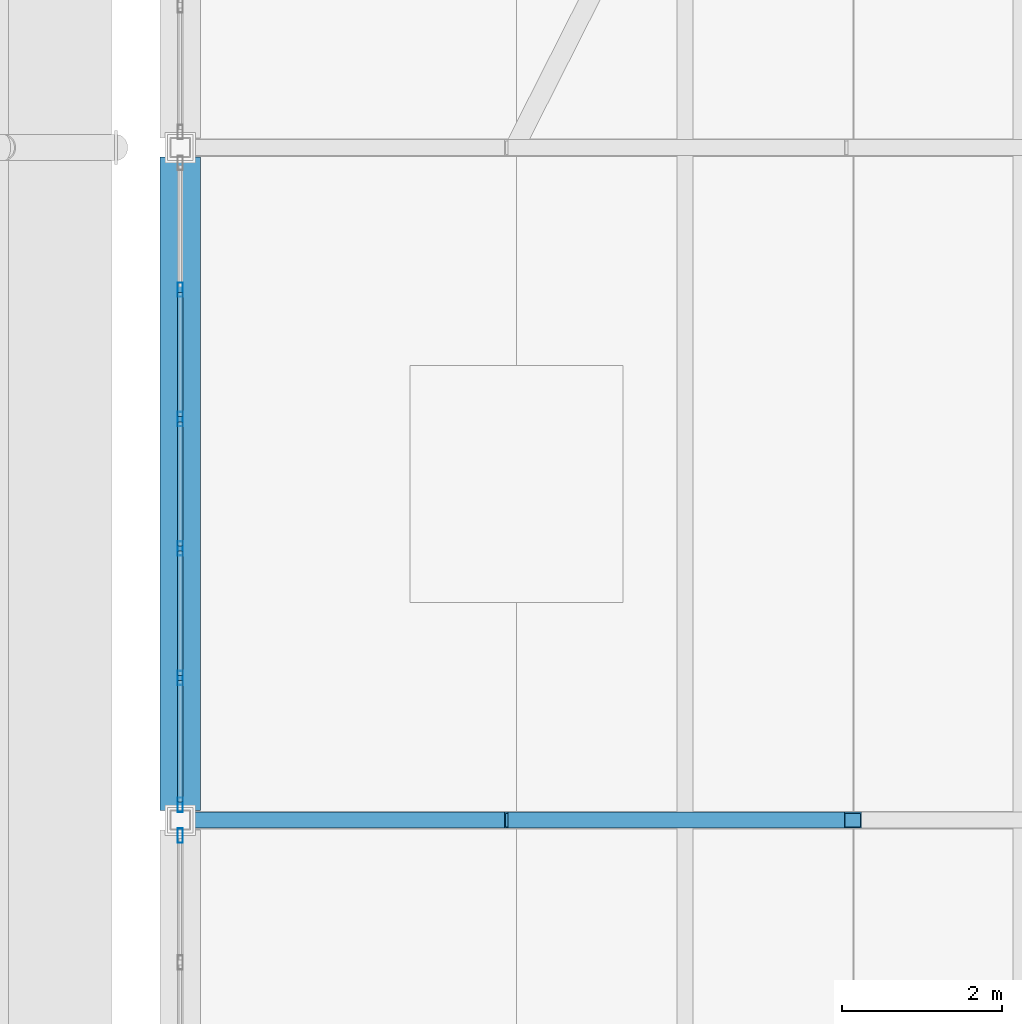
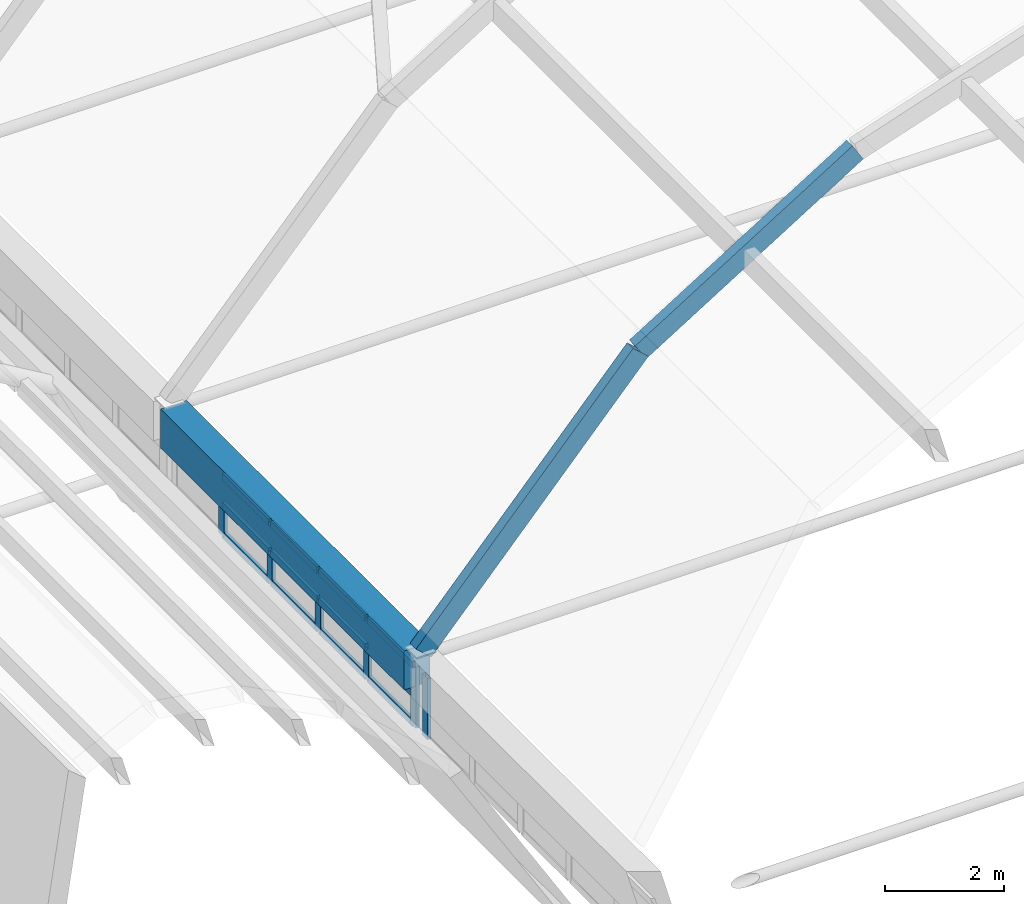
# One storey, part 17 of 114: 18 members, 3 beams, 2 elements without a shape of their own.
"""IFC4 building model written with IfcOpenShell, lengths in metres."""

from ifc_helpers import new_model, si_unit, direction, frame, origin, origin_2d, place, context, subcontext, project, spatial, rectangle, hollow_rectangle, extrude, material, layer, layer_set, material_profile, profile_set, type_object, element, aggregate, save


model = new_model("IFC4")

# Units and contexts
model_context = context("Model", 3, precision=1e-05, world=origin(), true_north=direction((0.0, 1.0)))
body_context = subcontext(model_context, "Body", "Model", "MODEL_VIEW")
ifc_project = project(units=[si_unit("LENGTHUNIT", "METRE"), si_unit("AREAUNIT", "SQUARE_METRE"), si_unit("VOLUMEUNIT", "CUBIC_METRE"), si_unit("PLANEANGLEUNIT", "RADIAN"), si_unit("MASSUNIT", "GRAM", prefix="KILO")], contexts=[model_context])

# Site, building, storey
site_placement = place(None, origin())
site = spatial("IfcSite", under=ifc_project, at=site_placement, CompositionType="ELEMENT")
building_placement = place(site_placement, origin())
building = spatial("IfcBuilding", under=site, at=building_placement, Name="Xazarin Passage Department Store", CompositionType="ELEMENT")
storey_placement = place(building_placement, frame((0.0, 0.0, 14.39990234375)))
storey = spatial("IfcBuildingStorey", under=building, at=storey_placement, Name="L03", CompositionType="ELEMENT", Elevation=14.39990234375)

# Curtain wall, member
ifc_material_1 = material(Name="Bronze anodised aluminium", Category="aluminium")
ifc_layer = layer(ifc_material_1, 0.159912109375)
ifc_layer_set = layer_set([ifc_layer], Name="Bronze anodised aluminium")
curtain_wall_type = type_object("IfcCurtainWallType", Name="ARC-CW-ARC1", PredefinedType="NOTDEFINED", material=ifc_layer_set)
curtain_wall_1_placement = place(storey_placement, origin())
curtain_wall_1 = element("IfcCurtainWall", 1, at=curtain_wall_1_placement, inside=storey, type_object=curtain_wall_type, Name="L03 V2S Galleria Clerestory Curtain Wall 2W", PredefinedType="NOTDEFINED")
ifc_material_profile_1 = material_profile(ifc_material_1, hollow_rectangle(XDim=0.06494140625, YDim=0.179931640625, WallThickness=0.00390625, at=origin_2d()), Name="ALU 65x180")
ifc_profile_set_1 = profile_set([ifc_material_profile_1], Name="Bronze anodised aluminium")
member_type_1 = type_object("IfcMemberType", Name="ARC-CWM-65x180", PredefinedType="MULLION", material=ifc_profile_set_1)
member_1_placement = place(storey_placement, frame((68.0, 16.607421875, 0.0), z_axis=(0.0, 0.0, 1.0), x_axis=(-1.0, 0.0, 0.0)))
member_1 = element("IfcMember", 2, at=member_1_placement, type_object=member_type_1, Name="CW3 mullion 6", PredefinedType="MULLION", context=body_context, shape_type="SweptSolid", body=[
    extrude(hollow_rectangle(XDim=0.06494140625, YDim=0.179931640625, WallThickness=0.00390625, at=origin_2d()), origin(), (0.0, 0.0, 1.0), 1.251708984375),
])
aggregate(curtain_wall_1, [member_1])

# Curtain wall, members
curtain_wall_2_placement = place(storey_placement, origin())
curtain_wall_2 = element("IfcCurtainWall", 3, at=curtain_wall_2_placement, inside=storey, type_object=curtain_wall_type, Name="L03 V2S Galleria Clerestory Curtain Wall 3W", PredefinedType="NOTDEFINED")
member_2_placement = place(storey_placement, frame((68.0, 16.992431640625, 0.0), z_axis=(0.0, 0.0, 1.0), x_axis=(-1.0, 0.0, 0.0)))
member_2 = element("IfcMember", 4, at=member_2_placement, type_object=member_type_1, Name="CW3 mullion 1", PredefinedType="MULLION", context=body_context, shape_type="SweptSolid", body=[
    extrude(hollow_rectangle(XDim=0.06494140625, YDim=0.179931640625, WallThickness=0.00390625, at=origin_2d()), origin(), (0.0, 0.0, 1.0), 1.251708984375),
])
member_3_placement = place(storey_placement, frame((68.0, 18.575927734375, 0.0), z_axis=(0.0, 0.0, 1.0), x_axis=(-1.0, 0.0, 0.0)))
member_3 = element("IfcMember", 5, at=member_3_placement, type_object=member_type_1, Name="CW3 mullion 2", PredefinedType="MULLION", context=body_context, shape_type="SweptSolid", body=[
    extrude(hollow_rectangle(XDim=0.06494140625, YDim=0.179931640625, WallThickness=0.00390625, at=origin_2d()), origin(), (0.0, 0.0, 1.0), 1.251708984375),
])
member_4_placement = place(storey_placement, frame((68.0, 20.19189453125, 0.0), z_axis=(0.0, 0.0, 1.0), x_axis=(-1.0, 0.0, 0.0)))
member_4 = element("IfcMember", 6, at=member_4_placement, type_object=member_type_1, Name="CW3 mullion 3", PredefinedType="MULLION", context=body_context, shape_type="SweptSolid", body=[
    extrude(hollow_rectangle(XDim=0.06494140625, YDim=0.179931640625, WallThickness=0.00390625, at=origin_2d()), origin(), (0.0, 0.0, 1.0), 1.251708984375),
])
member_5_placement = place(storey_placement, frame((68.0, 21.80810546875, 0.0), z_axis=(0.0, 0.0, 1.0), x_axis=(-1.0, 0.0, 0.0)))
member_5 = element("IfcMember", 7, at=member_5_placement, type_object=member_type_1, Name="CW3 mullion 4", PredefinedType="MULLION", context=body_context, shape_type="SweptSolid", body=[
    extrude(hollow_rectangle(XDim=0.06494140625, YDim=0.179931640625, WallThickness=0.00390625, at=origin_2d()), origin(), (0.0, 0.0, 1.0), 1.251708984375),
])
member_6_placement = place(storey_placement, frame((68.0, 23.424072265625, 0.0), z_axis=(0.0, 0.0, 1.0), x_axis=(-1.0, 0.0, 0.0)))
member_6 = element("IfcMember", 8, at=member_6_placement, type_object=member_type_1, Name="CW3 mullion 5", PredefinedType="MULLION", context=body_context, shape_type="SweptSolid", body=[
    extrude(hollow_rectangle(XDim=0.06494140625, YDim=0.179931640625, WallThickness=0.00390625, at=origin_2d()), origin(), (0.0, 0.0, 1.0), 1.251708984375),
])
ifc_material_profile_2 = material_profile(ifc_material_1, hollow_rectangle(XDim=0.06494140625, YDim=0.139892578125, WallThickness=0.00390625, at=origin_2d()), Name="ALU 65x140")
ifc_profile_set_2 = profile_set([ifc_material_profile_2], Name="Bronze anodised aluminium")
member_type_2 = type_object("IfcMemberType", Name="ARC-CWT-65x140", PredefinedType="USERDEFINED", material=ifc_profile_set_2)
member_7_placement = place(storey_placement, frame((68.0, 17.02490234375, 0.03271484375), z_axis=(0.0, 1.0, 0.0), x_axis=(-1.0, 0.0, 0.0)))
member_7 = element("IfcMember", 9, at=member_7_placement, type_object=member_type_2, Name="CW3 transom 1.1", ObjectType="TRANSOM", PredefinedType="USERDEFINED", context=body_context, shape_type="SweptSolid", body=[
    extrude(hollow_rectangle(XDim=0.06494140625, YDim=0.139892578125, WallThickness=0.00390625, at=origin_2d()), origin(), (0.0, 0.0, 1.0), 1.5185546875),
])
member_8_placement = place(storey_placement, frame((68.0, 17.02490234375, 0.6259765625), z_axis=(0.0, 1.0, 0.0), x_axis=(-1.0, 0.0, 0.0)))
member_8 = element("IfcMember", 10, at=member_8_placement, type_object=member_type_2, Name="CW3 transom 1.2", ObjectType="TRANSOM", PredefinedType="USERDEFINED", context=body_context, shape_type="SweptSolid", body=[
    extrude(hollow_rectangle(XDim=0.06494140625, YDim=0.139892578125, WallThickness=0.00390625, at=origin_2d()), origin(), (0.0, 0.0, 1.0), 1.5185546875),
])
member_9_placement = place(storey_placement, frame((68.0, 17.02490234375, 1.21923828125), z_axis=(0.0, 1.0, 0.0), x_axis=(-1.0, 0.0, 0.0)))
member_9 = element("IfcMember", 11, at=member_9_placement, type_object=member_type_2, Name="CW3 transom 1.3", ObjectType="TRANSOM", PredefinedType="USERDEFINED", context=body_context, shape_type="SweptSolid", body=[
    extrude(hollow_rectangle(XDim=0.06494140625, YDim=0.139892578125, WallThickness=0.00390625, at=origin_2d()), origin(), (0.0, 0.0, 1.0), 1.5185546875),
])
member_10_placement = place(storey_placement, frame((68.0, 18.6083984375, 0.03271484375), z_axis=(0.0, 1.0, 0.0), x_axis=(-1.0, 0.0, 0.0)))
member_10 = element("IfcMember", 12, at=member_10_placement, type_object=member_type_2, Name="CW3 transom 2.1", ObjectType="TRANSOM", PredefinedType="USERDEFINED", context=body_context, shape_type="SweptSolid", body=[
    extrude(hollow_rectangle(XDim=0.06494140625, YDim=0.139892578125, WallThickness=0.00390625, at=origin_2d()), origin(), (0.0, 0.0, 1.0), 1.551025390625),
])
member_11_placement = place(storey_placement, frame((68.0, 18.6083984375, 0.6259765625), z_axis=(0.0, 1.0, 0.0), x_axis=(-1.0, 0.0, 0.0)))
member_11 = element("IfcMember", 13, at=member_11_placement, type_object=member_type_2, Name="CW3 transom 2.2", ObjectType="TRANSOM", PredefinedType="USERDEFINED", context=body_context, shape_type="SweptSolid", body=[
    extrude(hollow_rectangle(XDim=0.06494140625, YDim=0.139892578125, WallThickness=0.00390625, at=origin_2d()), origin(), (0.0, 0.0, 1.0), 1.551025390625),
])
member_12_placement = place(storey_placement, frame((68.0, 18.6083984375, 1.21923828125), z_axis=(0.0, 1.0, 0.0), x_axis=(-1.0, 0.0, 0.0)))
member_12 = element("IfcMember", 14, at=member_12_placement, type_object=member_type_2, Name="CW3 transom 2.3", ObjectType="TRANSOM", PredefinedType="USERDEFINED", context=body_context, shape_type="SweptSolid", body=[
    extrude(hollow_rectangle(XDim=0.06494140625, YDim=0.139892578125, WallThickness=0.00390625, at=origin_2d()), origin(), (0.0, 0.0, 1.0), 1.551025390625),
])
member_13_placement = place(storey_placement, frame((68.0, 20.224609375, 0.03271484375), z_axis=(0.0, 1.0, 0.0), x_axis=(-1.0, 0.0, 0.0)))
member_13 = element("IfcMember", 15, at=member_13_placement, type_object=member_type_2, Name="CW3 transom 3.1", ObjectType="TRANSOM", PredefinedType="USERDEFINED", context=body_context, shape_type="SweptSolid", body=[
    extrude(hollow_rectangle(XDim=0.06494140625, YDim=0.139892578125, WallThickness=0.00390625, at=origin_2d()), origin(), (0.0, 0.0, 1.0), 1.55078125),
])
member_14_placement = place(storey_placement, frame((68.0, 20.224609375, 0.6259765625), z_axis=(0.0, 1.0, 0.0), x_axis=(-1.0, 0.0, 0.0)))
member_14 = element("IfcMember", 16, at=member_14_placement, type_object=member_type_2, Name="CW3 transom 3.2", ObjectType="TRANSOM", PredefinedType="USERDEFINED", context=body_context, shape_type="SweptSolid", body=[
    extrude(hollow_rectangle(XDim=0.06494140625, YDim=0.139892578125, WallThickness=0.00390625, at=origin_2d()), origin(), (0.0, 0.0, 1.0), 1.55078125),
])
member_15_placement = place(storey_placement, frame((68.0, 20.224609375, 1.21923828125), z_axis=(0.0, 1.0, 0.0), x_axis=(-1.0, 0.0, 0.0)))
member_15 = element("IfcMember", 17, at=member_15_placement, type_object=member_type_2, Name="CW3 transom 3.3", ObjectType="TRANSOM", PredefinedType="USERDEFINED", context=body_context, shape_type="SweptSolid", body=[
    extrude(hollow_rectangle(XDim=0.06494140625, YDim=0.139892578125, WallThickness=0.00390625, at=origin_2d()), origin(), (0.0, 0.0, 1.0), 1.55078125),
])
member_16_placement = place(storey_placement, frame((68.0, 21.840576171875, 0.03271484375), z_axis=(0.0, 1.0, 0.0), x_axis=(-1.0, 0.0, 0.0)))
member_16 = element("IfcMember", 18, at=member_16_placement, type_object=member_type_2, Name="CW3 transom 4.1", ObjectType="TRANSOM", PredefinedType="USERDEFINED", context=body_context, shape_type="SweptSolid", body=[
    extrude(hollow_rectangle(XDim=0.06494140625, YDim=0.139892578125, WallThickness=0.00390625, at=origin_2d()), origin(), (0.0, 0.0, 1.0), 1.551025390625),
])
member_17_placement = place(storey_placement, frame((68.0, 21.840576171875, 0.6259765625), z_axis=(0.0, 1.0, 0.0), x_axis=(-1.0, 0.0, 0.0)))
member_17 = element("IfcMember", 19, at=member_17_placement, type_object=member_type_2, Name="CW3 transom 4.2", ObjectType="TRANSOM", PredefinedType="USERDEFINED", context=body_context, shape_type="SweptSolid", body=[
    extrude(hollow_rectangle(XDim=0.06494140625, YDim=0.139892578125, WallThickness=0.00390625, at=origin_2d()), origin(), (0.0, 0.0, 1.0), 1.551025390625),
])
member_18_placement = place(storey_placement, frame((68.0, 21.840576171875, 1.21923828125), z_axis=(0.0, 1.0, 0.0), x_axis=(-1.0, 0.0, 0.0)))
member_18 = element("IfcMember", 20, at=member_18_placement, type_object=member_type_2, Name="CW3 transom 4.3", ObjectType="TRANSOM", PredefinedType="USERDEFINED", context=body_context, shape_type="SweptSolid", body=[
    extrude(hollow_rectangle(XDim=0.06494140625, YDim=0.139892578125, WallThickness=0.00390625, at=origin_2d()), origin(), (0.0, 0.0, 1.0), 1.551025390625),
])
aggregate(curtain_wall_2, [member_2, member_3, member_4, member_5, member_6, member_7, member_8, member_9, member_10, member_11, member_12, member_13, member_14, member_15, member_16, member_17, member_18])

# Beams
ifc_material_2 = material(Name="Steel S355", Category="steel")
ifc_material_profile_3 = material_profile(ifc_material_2, hollow_rectangle(XDim=0.199951171875, YDim=0.39990234375, WallThickness=0.01611328125, at=origin_2d()), Name="RHS 400x200x16")
ifc_profile_set_3 = profile_set([ifc_material_profile_3], Name="Steel S355")
beam_type_1 = type_object("IfcBeamType", Name="STR-BM-AR400", PredefinedType="BEAM", material=ifc_profile_set_3)
beam_1_placement = place(storey_placement, frame((68.0, 16.800048828125, 1.65185546875), z_axis=(0.667891545417, 0.0, 0.74425861336), x_axis=(0.0, 1.0, 0.0)))
element("IfcBeam", 21, at=beam_1_placement, inside=storey, type_object=beam_type_1, Name="V2S Primary Arch Rib 3.1", PredefinedType="BEAM", context=body_context, shape_type="SweptSolid", body=[
    extrude(hollow_rectangle(XDim=0.199951171875, YDim=0.39990234375, WallThickness=0.01611328125, at=origin_2d()), origin(), (0.0, 0.0, 1.0), 6.288330078125),
])
beam_2_placement = place(storey_placement, frame((72.199951171875, 16.800048828125, 6.33203125), z_axis=(0.848571440894, 0.0, 0.529080815848), x_axis=(0.0, 1.0, 0.0)))
element("IfcBeam", 22, at=beam_2_placement, inside=storey, type_object=beam_type_1, Name="V2S Primary Arch Rib 3.2", PredefinedType="BEAM", context=body_context, shape_type="SweptSolid", body=[
    extrude(hollow_rectangle(XDim=0.199951171875, YDim=0.39990234375, WallThickness=0.01611328125, at=origin_2d()), origin(), (0.0, 0.0, 1.0), 4.949462890625),
])
ifc_material_3 = material(Name="Concrete C40/50", Category="concrete")
ifc_material_profile_4 = material_profile(ifc_material_3, rectangle(XDim=0.5, YDim=0.800048828125, at=origin_2d()), Name="RC 500x800")
ifc_profile_set_4 = profile_set([ifc_material_profile_4], Name="Concrete C40/50")
beam_type_2 = type_object("IfcBeamType", Name="STR-BM-RG500x800", PredefinedType="BEAM", material=ifc_profile_set_4)
beam_3_placement = place(storey_placement, frame((68.0, 16.919921875, 1.251708984375), z_axis=(0.0, 1.0, 0.0), x_axis=(-1.0, 0.0, 0.0)))
element("IfcBeam", 23, at=beam_3_placement, inside=storey, type_object=beam_type_2, Name="V2S Springing Ring Girder W-3", PredefinedType="BEAM", context=body_context, shape_type="SweptSolid", body=[
    extrude(rectangle(XDim=0.5, YDim=0.800048828125, at=origin_2d()), origin(), (0.0, 0.0, 1.0), 8.16015625),
])

save(model, "model.ifc")
